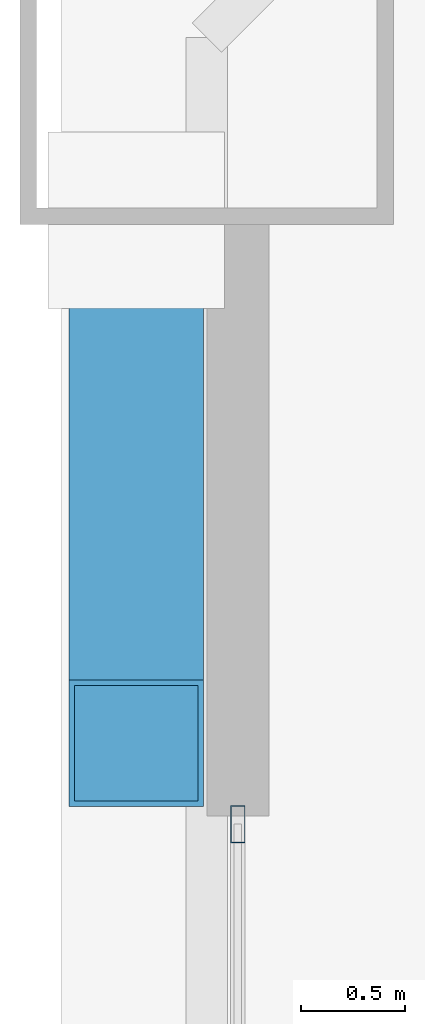
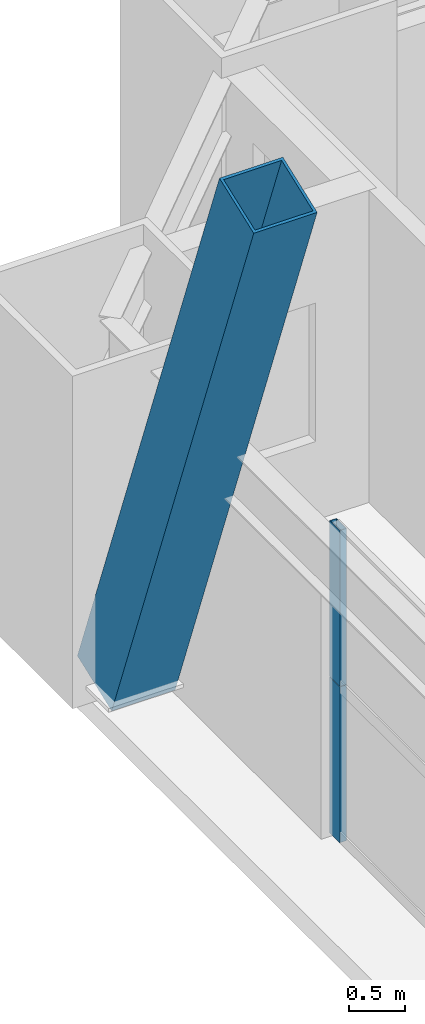
# One storey, part 24 of 43: 3 members, 1 element without a shape of its own.
"""IFC4 building model written with IfcOpenShell, lengths in metres."""

from ifc_helpers import new_model, si_unit, direction, frame, origin, origin_2d, place, context, subcontext, project, spatial, hollow_rectangle, extrude, source, transform, mapped, material, layer, layer_set, material_profile, profile_set, type_object, element, aggregate, save


model = new_model("IFC4")

# Units and contexts
model_context = context("Model", 3, precision=1e-05, world=origin(), true_north=direction((0.0, 1.0)))
body_context = subcontext(model_context, "Body", "Model", "MODEL_VIEW")
ifc_project = project(units=[si_unit("LENGTHUNIT", "METRE"), si_unit("AREAUNIT", "SQUARE_METRE"), si_unit("VOLUMEUNIT", "CUBIC_METRE"), si_unit("PLANEANGLEUNIT", "RADIAN"), si_unit("MASSUNIT", "GRAM", prefix="KILO"), si_unit("THERMODYNAMICTEMPERATUREUNIT", "KELVIN"), si_unit("POWERUNIT", "WATT")], contexts=[model_context])

# Site, building, storey
site_placement = place(None, origin())
site = spatial("IfcSite", under=ifc_project, at=site_placement, CompositionType="ELEMENT")
building_placement = place(site_placement, origin())
building = spatial("IfcBuilding", under=site, at=building_placement, Name="Yuzanri Waterfront Tower", CompositionType="ELEMENT")
storey_placement = place(building_placement, frame((0.0, 0.0, 74.800048828125)))
storey = spatial("IfcBuildingStorey", under=building, at=storey_placement, Name="L19", CompositionType="ELEMENT", Elevation=74.800048828125)

# Member
ifc_material_1 = material(Name="Steel Q420GJC", Category="steel")
ifc_material_profile_1 = material_profile(ifc_material_1, hollow_rectangle(XDim=0.64990234375, YDim=0.64990234375, WallThickness=0.028076171875, at=origin_2d()), Name="RHS 650x650x28")
ifc_profile_set_1 = profile_set([ifc_material_profile_1], Name="Steel Q420GJC")
member_type_1 = type_object("IfcMemberType", Name="Mega Brace Lower Q420GJC RHS 650x650x28", PredefinedType="BRACE", material=ifc_profile_set_1)
shared_shape_1 = source(origin(), body_context, "Body", "SweptSolid", [
    extrude(hollow_rectangle(XDim=0.64990234375, YDim=0.64990234375, WallThickness=0.028076171875, at=origin_2d()), origin(), (0.0, 0.0, 1.0), 7.158203125),
])
member_1_placement = place(storey_placement, frame((11.56005859375, 46.419921875, 0.179931640625), z_axis=(0.0, -0.352046480343, 0.935982518896), x_axis=(1.0, 0.0, 0.0)))
element("IfcMember", 1, at=member_1_placement, inside=storey, type_object=member_type_1, Name="L19-L20 Perimeter Mega-Brace W-R", PredefinedType="BRACE", context=body_context, shape_type="MappedRepresentation", body=[
    mapped(shared_shape_1, transform((0.0, 0.0, 0.0), scale=1.0)),
])

# Curtain wall, members
ifc_material_2 = material(Name="Anodized Architectural Bronze", Category="metal")
ifc_layer = layer(ifc_material_2, 0.159912109375)
ifc_layer_set = layer_set([ifc_layer], Name="Anodized Architectural Bronze")
curtain_wall_type = type_object("IfcCurtainWallType", Name="Anodized Bronze Hotel Lower-Tier Recessed Unitized Curtain Wall 8100", PredefinedType="NOTDEFINED", material=ifc_layer_set)
curtain_wall_placement = place(storey_placement, origin())
curtain_wall = element("IfcCurtainWall", 2, at=curtain_wall_placement, inside=storey, type_object=curtain_wall_type, Name="L19 Curtain Wall CW-L19-WR", PredefinedType="NOTDEFINED")
ifc_material_3 = material(Name="Anodized Architectural Bronze", Category="metal")
ifc_material_profile_2 = material_profile(ifc_material_3, hollow_rectangle(XDim=0.070068359375, YDim=0.179931640625, WallThickness=0.00390625, at=origin_2d()), Name="CWM 70x180")
ifc_profile_set_2 = profile_set([ifc_material_profile_2], Name="Anodized Architectural Bronze")
member_type_2 = type_object("IfcMemberType", Name="Anodized Bronze Standard Curtain-Wall Mullion 70x180", PredefinedType="MULLION", material=ifc_profile_set_2)
shared_shape_2 = source(origin(), body_context, "Body", "SweptSolid", [
    extrude(hollow_rectangle(XDim=0.070068359375, YDim=0.179931640625, WallThickness=0.00390625, at=origin_2d()), origin(), (0.0, 0.0, 1.0), 1.68798828125),
])
member_2_placement = place(storey_placement, frame((12.050048828125, 43.510009765625, 0.0), z_axis=(0.0, 0.0, 1.0), x_axis=(1.0, 0.0, 0.0)))
member_2 = element("IfcMember", 3, at=member_2_placement, type_object=member_type_2, Name="CW-L19-WR Lower Mullion 02", PredefinedType="MULLION", context=body_context, shape_type="MappedRepresentation", body=[
    mapped(shared_shape_2, transform((0.0, 0.0, 0.0), scale=1.0)),
])
member_3_placement = place(storey_placement, frame((12.050048828125, 43.510009765625, 1.69189453125), z_axis=(0.0, 0.0, 1.0), x_axis=(1.0, 0.0, 0.0)))
member_3 = element("IfcMember", 4, at=member_3_placement, type_object=member_type_2, Name="CW-L19-WR Upper Mullion 02", PredefinedType="MULLION", context=body_context, shape_type="MappedRepresentation", body=[
    mapped(shared_shape_2, transform((0.0, 0.0, 0.0), scale=1.0)),
])
aggregate(curtain_wall, [member_2, member_3])

save(model, "model.ifc")
